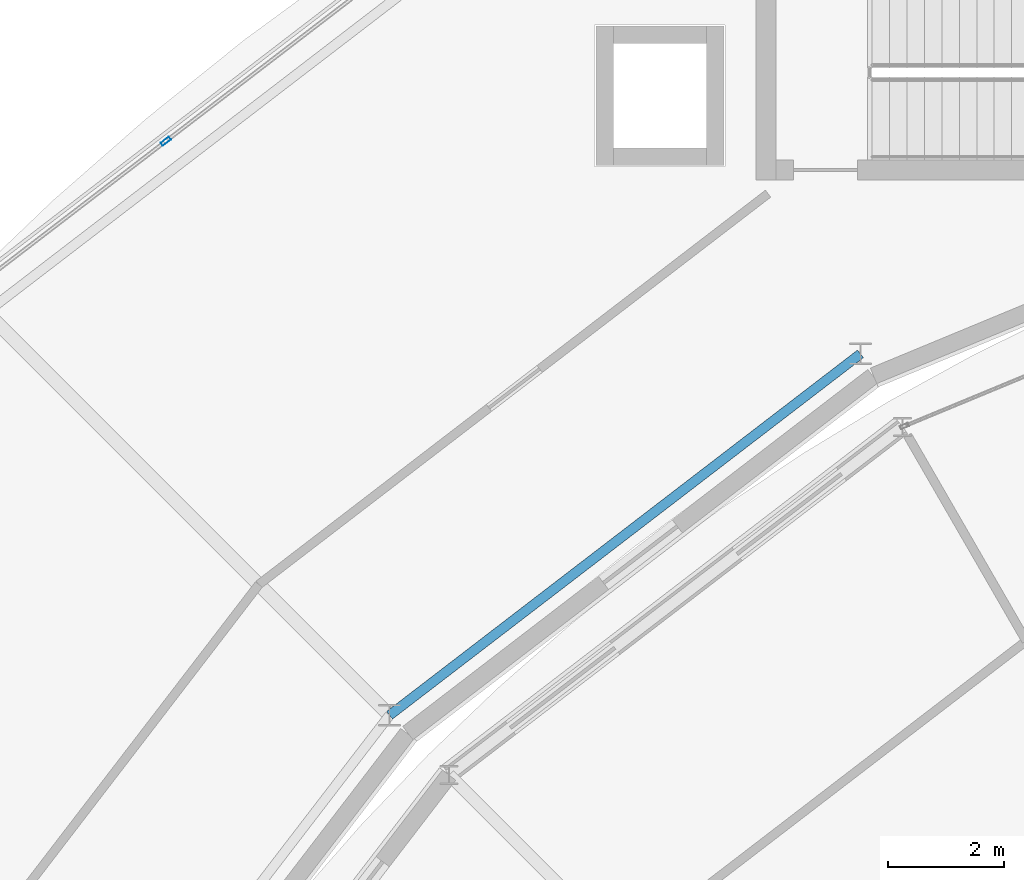
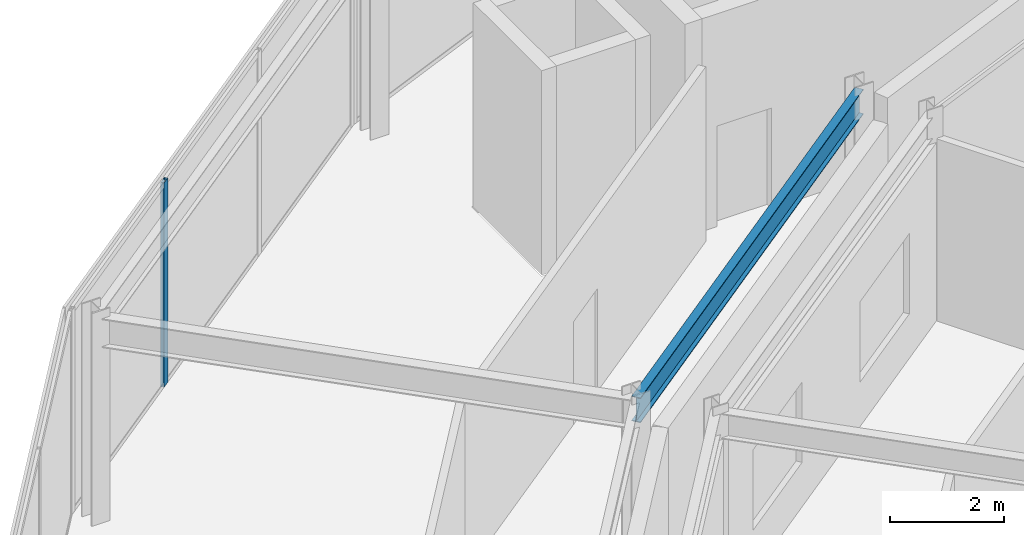
# One storey, part 65 of 157: 1 beam, 1 member, 1 element without a shape of its own.
"""IFC4 building model written with IfcOpenShell, lengths in metres."""

from ifc_helpers import new_model, si_unit, direction, frame, origin, origin_2d, place, context, subcontext, project, spatial, hollow_rectangle, i_section, extrude, material, material_profile, profile_set, type_object, element, aggregate, save


model = new_model("IFC4")

# Units and contexts
model_context = context("Model", 3, precision=1e-05, world=origin(), true_north=direction((0.0, 1.0)))
body_context = subcontext(model_context, "Body", "Model", "MODEL_VIEW")
ifc_project = project(units=[si_unit("LENGTHUNIT", "METRE"), si_unit("AREAUNIT", "SQUARE_METRE"), si_unit("VOLUMEUNIT", "CUBIC_METRE"), si_unit("PLANEANGLEUNIT", "RADIAN"), si_unit("MASSUNIT", "GRAM", prefix="KILO")], contexts=[model_context])

# Site, building, storey
site_placement = place(None, origin())
site = spatial("IfcSite", under=ifc_project, at=site_placement, CompositionType="ELEMENT")
building_placement = place(site_placement, origin())
building = spatial("IfcBuilding", under=site, at=building_placement, Name="Almandine Court Research Institute", CompositionType="ELEMENT")
storey_placement = place(building_placement, frame((0.0, 0.0, 5.25)))
storey = spatial("IfcBuildingStorey", under=building, at=storey_placement, Name="L01", CompositionType="ELEMENT", Elevation=5.25)

# Beam
ifc_material_1 = material(Name="Steel ASTM A992 Grade 50", Category="steel")
ifc_material_profile_1 = material_profile(ifc_material_1, i_section(OverallWidth=0.166015625, OverallDepth=0.534912109375, WebThickness=0.010009765625, FlangeThickness=0.01708984375, at=origin_2d()), Name="W530x85")
ifc_profile_set_1 = profile_set([ifc_material_profile_1], Name="Steel ASTM A992 Grade 50")
beam_type = type_object("IfcBeamType", Name="Beam-G-05-E", PredefinedType="SPANDREL", material=ifc_profile_set_1)
beam_placement = place(storey_placement, frame((67.449951171875, 89.862060546875, 4.10205078125), z_axis=(-0.793335653042, -0.608784478787, 0.0), x_axis=(0.608784478787, -0.793335653042, 0.0)))
element("IfcBeam", 1, at=beam_placement, inside=storey, type_object=beam_type, Name="L01 Drum IN Ring Beam 08", PredefinedType="SPANDREL", context=body_context, shape_type="SweptSolid", body=[
    extrude(i_section(OverallWidth=0.166015625, OverallDepth=0.534912109375, WebThickness=0.010009765625, FlangeThickness=0.01708984375, at=origin_2d()), origin(), (0.0, 0.0, 1.0), 10.20751953125),
])

# Curtain wall, member
ifc_material_2 = material(Name="Unitised Curtain Wall Framing and Solar Glazing", Category="glass")
curtain_wall_type = type_object("IfcCurtainWallType", Name="CW-CWJ-19", PredefinedType="USERDEFINED", material=ifc_material_2)
curtain_wall_placement = place(storey_placement, origin())
curtain_wall = element("IfcCurtainWall", 2, at=curtain_wall_placement, inside=storey, type_object=curtain_wall_type, Name="L01 Stacked-Ring Drum Outer Solar Jali Screen 08", ObjectType="SOLAR JALI SCREEN", PredefinedType="USERDEFINED")
ifc_material_3 = material(Name="Anodised Aluminium AW-6063-T6", Category="aluminium")
ifc_material_profile_2 = material_profile(ifc_material_3, hollow_rectangle(XDim=0.06494140625, YDim=0.179931640625, WallThickness=0.00390625, at=origin_2d()), Name="ALU RHS 65x180x4")
ifc_profile_set_2 = profile_set([ifc_material_profile_2], Name="Anodised Aluminium AW-6063-T6")
member_type = type_object("IfcMemberType", Name="CWMul-65x180", PredefinedType="MULLION", material=ifc_profile_set_2)
member_placement = place(storey_placement, frame((55.505615234375, 93.51904296875, 0.0), z_axis=(0.0, 0.0, 1.0), x_axis=(-0.608723313303, 0.793382586046, 0.0)))
member = element("IfcMember", 3, at=member_placement, type_object=member_type, Name="CWJ-19 mullion 2", PredefinedType="MULLION", context=body_context, shape_type="SweptSolid", body=[
    extrude(hollow_rectangle(XDim=0.06494140625, YDim=0.179931640625, WallThickness=0.00390625, at=origin_2d()), origin(), (0.0, 0.0, 1.0), 4.3701171875),
])
aggregate(curtain_wall, [member])

save(model, "model.ifc")
